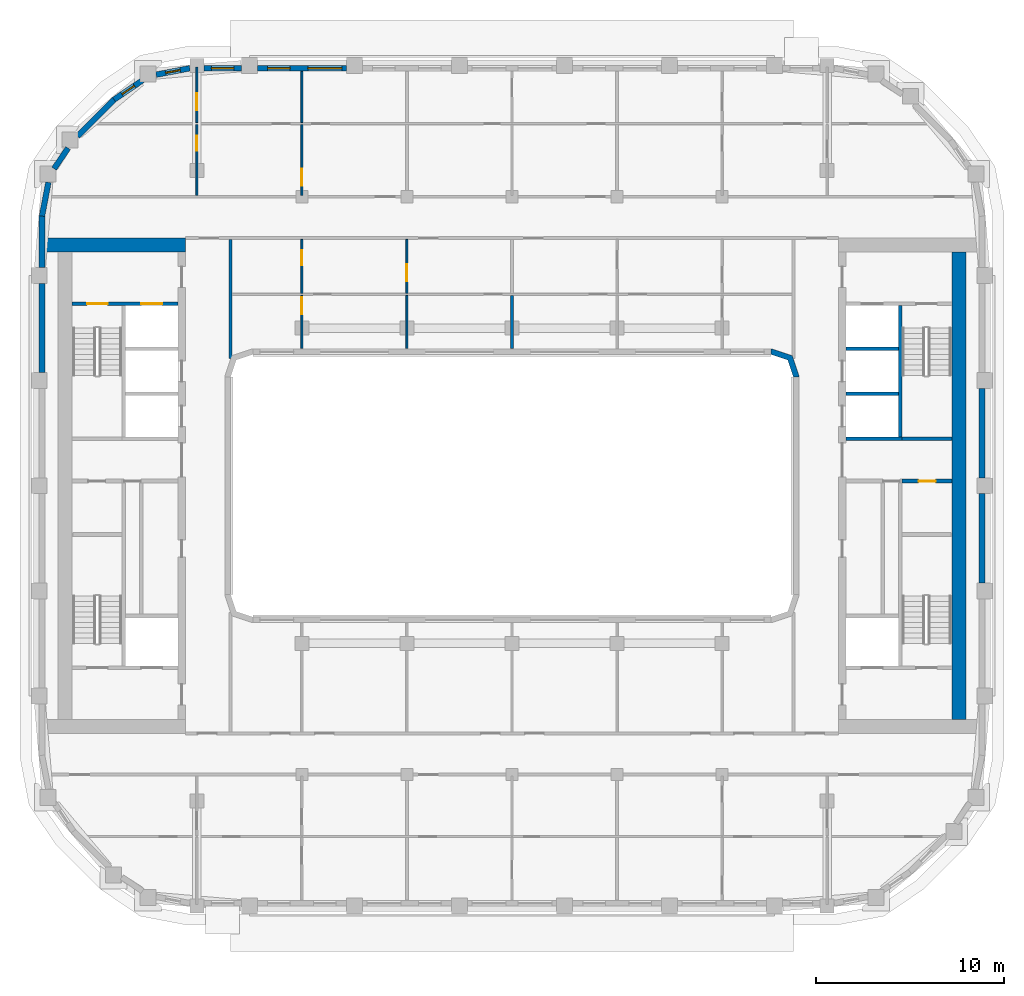
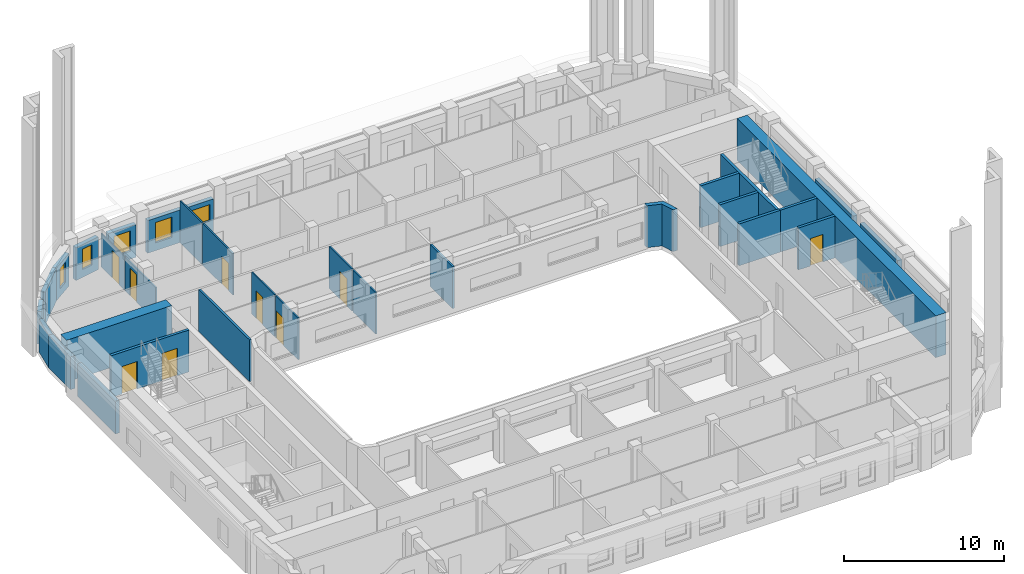
# One storey, part 6 of 21: 31 walls, 9 doors, 5 windows, 14 openings.
"""IFC4 building model written with IfcOpenShell, lengths in metres."""

from ifc_helpers import new_model, si_unit, direction, frame, frame_2d, origin, place, context, subcontext, project, spatial, polyline, rectangle, outline, extrude, material, layer, layer_set, type_object, element, fill, save


model = new_model("IFC4")

# Units and contexts
model_context = context("Model", 3, precision=1e-05, world=origin(), true_north=direction((0.0, 1.0)))
body_context = subcontext(model_context, "Body", "Model", "MODEL_VIEW")
ifc_project = project(units=[si_unit("LENGTHUNIT", "METRE"), si_unit("AREAUNIT", "SQUARE_METRE"), si_unit("VOLUMEUNIT", "CUBIC_METRE"), si_unit("PLANEANGLEUNIT", "RADIAN"), si_unit("MASSUNIT", "GRAM", prefix="KILO")], contexts=[model_context])

# Site, building, storey
site_placement = place(None, origin())
site = spatial("IfcSite", under=ifc_project, at=site_placement, CompositionType="ELEMENT")
building_placement = place(site_placement, origin())
building = spatial("IfcBuilding", under=site, at=building_placement, Name="Kiln Ring Residences", CompositionType="ELEMENT")
storey_placement = place(building_placement, frame((0.0, 0.0, 213.39990234375)))
storey = spatial("IfcBuildingStorey", under=building, at=storey_placement, Name="L55", CompositionType="ELEMENT", Elevation=213.39990234375)

# Wall, opening, door
ifc_material_1 = material(Name="Gypsum board on steel studs", Category="steel")
ifc_layer_1 = layer(ifc_material_1, 0.199951171875)
ifc_layer_set_1 = layer_set([ifc_layer_1], Name="CORE-PARTITION-200")
wall_type_1 = type_object("IfcWallType", Name="CORE-PARTITION-200", PredefinedType="PARTITIONING", material=ifc_layer_set_1)
wall_1_placement = place(storey_placement, frame((20.800048828125, 0.25, 0.0), z_axis=(0.0, 0.0, 1.0), x_axis=(1.0, 0.0, 0.0)))
wall_1 = element("IfcWall", 1, at=wall_1_placement, inside=storey, type_object=wall_type_1, Name="Core partition east L55 1", PredefinedType="PARTITIONING", context=body_context, shape_type="SweptSolid", body=[
    extrude(rectangle(XDim=2.64990234375, YDim=0.199951171875, at=frame_2d((1.324951171875, 0.0))), origin(), (0.0, 0.0, 1.0), 3.2001953125),
])
opening_1_placement = place(wall_1_placement, frame((0.875, 0.0, 0.0)))
opening_1 = element("IfcOpeningElement", 2, at=opening_1_placement, cuts=wall_1, Name="Opening L55-CE12", PredefinedType="OPENING", context=body_context, shape_type="SweptSolid", body=[
    extrude(rectangle(XDim=0.89990234375, YDim=2.10009765625, at=frame_2d((0.449951171875, 1.050048828125))), frame((0.0, 0.10986328125, 0.0), z_axis=(0.0, -1.0, 0.0), x_axis=(1.0, 0.0, 0.0)), (0.0, 0.0, 1.0), 0.219970703125),
])
ifc_material_2 = material(Name="Steel door leaf", Category="steel")
door_type_1 = type_object("IfcDoorType", Name="CORE-DOOR-ROOM", OperationType="SINGLE_SWING_LEFT", PredefinedType="DOOR", material=ifc_material_2)
door_1_placement = place(opening_1_placement, origin())
door_1 = element("IfcDoor", 3, at=door_1_placement, inside=storey, type_object=door_type_1, Name="Linen store L55-CE12", OperationType="SINGLE_SWING_LEFT", OverallHeight=2.10009765625, OverallWidth=0.89990234375, PredefinedType="DOOR", context=body_context, shape_type="SweptSolid", body=[
    extrude(rectangle(XDim=0.89990234375, YDim=2.10009765625, at=frame_2d((0.449951171875, 1.050048828125))), frame((0.0, 0.02490234375, 0.0), z_axis=(0.0, -1.0, 0.0), x_axis=(1.0, 0.0, 0.0)), (0.0, 0.0, 1.0), 0.050048828125),
])
fill(opening_1, door_1)

# Walls
ifc_material_3 = material(Name="Gypsum shaft wall system")
ifc_layer_2 = layer(ifc_material_3, 0.199951171875)
ifc_layer_set_2 = layer_set([ifc_layer_2], Name="CORE-SHAFT-WALL-200")
wall_type_2 = type_object("IfcWallType", Name="CORE-SHAFT-WALL-200", PredefinedType="PARTITIONING", material=ifc_layer_set_2)
wall_2_placement = place(storey_placement, frame((17.800048828125, 2.5, 0.0), z_axis=(0.0, 0.0, 1.0), x_axis=(1.0, 0.0, 0.0)))
element("IfcWall", 4, at=wall_2_placement, inside=storey, type_object=wall_type_2, Name="Core partition east L55 5", PredefinedType="PARTITIONING", context=body_context, shape_type="SweptSolid", body=[
    extrude(rectangle(XDim=3.0, YDim=0.199951171875, at=frame_2d((1.5, 0.0))), origin(), (0.0, 0.0, 1.0), 3.2001953125),
])
for number, where, z_axis, x_axis, name in (
    (5, (17.800048828125, 4.89990234375, 0.0), (0.0, 0.0, 1.0), (1.0, 0.0, 0.0), "Core partition east L55 6"),
    (6, (17.800048828125, 7.300048828125, 0.0), (0.0, 0.0, 1.0), (1.0, 0.0, 0.0), "Core partition east L55 7"),
):
    element("IfcWall", number, at=place(storey_placement, frame(where, z_axis=z_axis, x_axis=x_axis)), inside=storey, type_object=wall_type_2, Name=name, PredefinedType="PARTITIONING", context=body_context, shape_type="SweptSolid", body=[
        extrude(rectangle(XDim=2.800048828125, YDim=0.199951171875, at=frame_2d((1.39990234375, 0.0))), origin(), (0.0, 0.0, 1.0), 3.2001953125),
    ])

# Wall, openings, doors
ifc_material_4 = material(Name="Concrete C40/50", Category="concrete")
ifc_layer_3 = layer(ifc_material_4, 0.199951171875)
ifc_layer_set_3 = layer_set([ifc_layer_3], Name="CORE-WALL-RC200")
wall_type_3 = type_object("IfcWallType", Name="CORE-WALL-RC200", PredefinedType="SHEAR", material=ifc_layer_set_3)
wall_3_placement = place(storey_placement, frame((-17.800048828125, 9.699951171875, 0.0), z_axis=(0.0, 0.0, 1.0), x_axis=(-1.0, 0.0, 0.0)))
wall_3 = element("IfcWall", 7, at=wall_3_placement, inside=storey, type_object=wall_type_3, Name="Core wall west L55 9", PredefinedType="SHEAR", context=body_context, shape_type="SweptSolid", body=[
    extrude(rectangle(XDim=5.64990234375, YDim=0.199951171875, at=frame_2d((2.824951171875, 0.0))), origin(), (0.0, 0.0, 1.0), 3.2001953125),
])
opening_2_placement = place(wall_3_placement, frame((0.85009765625, 0.0, 0.0)))
opening_2 = element("IfcOpeningElement", 8, at=opening_2_placement, cuts=wall_3, Name="Opening L55-CW06", PredefinedType="OPENING", context=body_context, shape_type="SweptSolid", body=[
    extrude(rectangle(XDim=1.10009765625, YDim=2.10009765625, at=frame_2d((0.550048828125, 1.050048828125))), frame((0.0, 0.10986328125, 0.0), z_axis=(0.0, -1.0, 0.0), x_axis=(1.0, 0.0, 0.0)), (0.0, 0.0, 1.0), 0.219970703125),
])
opening_3_placement = place(wall_3_placement, frame((3.75, 0.0, 0.0)))
opening_3 = element("IfcOpeningElement", 9, at=opening_3_placement, cuts=wall_3, Name="Opening L55-CW09", PredefinedType="OPENING", context=body_context, shape_type="SweptSolid", body=[
    extrude(rectangle(XDim=1.10009765625, YDim=2.10009765625, at=frame_2d((0.550048828125, 1.050048828125))), frame((0.0, 0.10986328125, 0.0), z_axis=(0.0, -1.0, 0.0), x_axis=(1.0, 0.0, 0.0)), (0.0, 0.0, 1.0), 0.219970703125),
])
ifc_material_5 = material(Name="Steel door leaf", Category="steel")
door_type_2 = type_object("IfcDoorType", Name="CORE-DOOR-LD", OperationType="DOUBLE_DOOR_SLIDING", PredefinedType="DOOR", material=ifc_material_5)
door_2_placement = place(opening_2_placement, origin())
door_2 = element("IfcDoor", 10, at=door_2_placement, inside=storey, type_object=door_type_2, Name="LD W-FF L55-CW06", OperationType="DOUBLE_DOOR_SLIDING", OverallHeight=2.10009765625, OverallWidth=1.10009765625, PredefinedType="DOOR", context=body_context, shape_type="SweptSolid", body=[
    extrude(rectangle(XDim=1.10009765625, YDim=2.10009765625, at=frame_2d((0.550048828125, 1.050048828125))), frame((0.0, 0.02490234375, 0.0), z_axis=(0.0, -1.0, 0.0), x_axis=(1.0, 0.0, 0.0)), (0.0, 0.0, 1.0), 0.050048828125),
])
fill(opening_2, door_2)
ifc_material_6 = material(Name="Steel door leaf", Category="steel")
door_type_3 = type_object("IfcDoorType", Name="CORE-DOOR-STAIR", OperationType="SINGLE_SWING_LEFT", PredefinedType="DOOR", material=ifc_material_6)
door_3_placement = place(opening_3_placement, origin())
door_3 = element("IfcDoor", 11, at=door_3_placement, inside=storey, type_object=door_type_3, Name="Stair W-STN L55-CW09", OperationType="SINGLE_SWING_LEFT", OverallHeight=2.10009765625, OverallWidth=1.10009765625, PredefinedType="DOOR", context=body_context, shape_type="SweptSolid", body=[
    extrude(rectangle(XDim=1.10009765625, YDim=2.10009765625, at=frame_2d((0.550048828125, 1.050048828125))), frame((0.0, 0.02490234375, 0.0), z_axis=(0.0, -1.0, 0.0), x_axis=(1.0, 0.0, 0.0)), (0.0, 0.0, 1.0), 0.050048828125),
])
fill(opening_3, door_3)

# Walls
wall_4_placement = place(storey_placement, frame((20.699951171875, 2.60009765625, 0.0), z_axis=(0.0, 0.0, 1.0), x_axis=(0.0, 1.0, 0.0)))
element("IfcWall", 12, at=wall_4_placement, inside=storey, type_object=wall_type_3, Name="Core wall east L55 1", PredefinedType="SHEAR", context=body_context, shape_type="SweptSolid", body=[
    extrude(rectangle(XDim=7.0, YDim=0.199951171875, at=frame_2d((3.5, 0.0))), origin(), (0.0, 0.0, 1.0), 3.2001953125),
])
wall_5_placement = place(storey_placement, frame((20.800048828125, 2.5, 0.0), z_axis=(0.0, 0.0, 1.0), x_axis=(1.0, 0.0, 0.0)))
element("IfcWall", 13, at=wall_5_placement, inside=storey, type_object=wall_type_3, Name="Core wall east L55 3", PredefinedType="SHEAR", context=body_context, shape_type="SweptSolid", body=[
    extrude(rectangle(XDim=2.64990234375, YDim=0.199951171875, at=frame_2d((1.324951171875, 0.0))), origin(), (0.0, 0.0, 1.0), 3.2001953125),
])
ifc_material_7 = material(Name="Concrete C60/75", Category="concrete")
ifc_layer_4 = layer(ifc_material_7, 0.75)
ifc_layer_set_4 = layer_set([ifc_layer_4], Name="CORE-WALL-RC750")
wall_type_4 = type_object("IfcWallType", Name="CORE-WALL-RC750", PredefinedType="SHEAR", material=ifc_layer_set_4)
wall_6_placement = place(storey_placement, frame((-17.39990234375, 12.824951171875, 0.0), z_axis=(0.0, 0.0, 1.0), x_axis=(-1.0, 0.0, 0.0)))
element("IfcWall", 14, at=wall_6_placement, inside=storey, type_object=wall_type_4, Name="Core wall west L55 4", PredefinedType="SHEAR", context=body_context, shape_type="SweptSolid", body=[
    extrude(rectangle(XDim=7.60009765625, YDim=0.75, at=frame_2d((3.800048828125, 0.0))), origin(), (0.0, 0.0, 1.0), 3.2001953125),
])
wall_7_placement = place(storey_placement, frame((23.824951171875, -12.449951171875, 0.0), z_axis=(0.0, 0.0, 1.0), x_axis=(0.0, 1.0, 0.0)))
element("IfcWall", 15, at=wall_7_placement, inside=storey, type_object=wall_type_4, Name="Core wall east L55 7", PredefinedType="SHEAR", context=body_context, shape_type="SweptSolid", body=[
    extrude(rectangle(XDim=24.89990234375, YDim=0.75, at=frame_2d((12.449951171875, 0.0))), origin(), (0.0, 0.0, 1.0), 3.2001953125),
])
ifc_material_8 = material(Name="Brick masonry, dark clay brick", Category="masonry")
ifc_layer_5 = layer(ifc_material_8, 0.300048828125)
ifc_layer_set_5 = layer_set([ifc_layer_5], Name="EW-300 BRICK WALL")
wall_type_5 = type_object("IfcWallType", Name="EW-300 BRICK WALL", PredefinedType="SOLIDWALL", material=ifc_layer_set_5)
for number, where, z_axis, x_axis, name in (
    (16, (25.050048828125, -5.175048828125, 0.0), (0.0, 0.0, 1.0), (0.0, 1.0, 0.0), "Facade wall L55 18"),
    (17, (25.050048828125, 0.425048828125, 0.0), (0.0, 0.0, 1.0), (0.0, 1.0, 0.0), "Facade wall L55 19"),
):
    element("IfcWall", number, at=place(storey_placement, frame(where, z_axis=z_axis, x_axis=x_axis)), inside=storey, type_object=wall_type_5, Name=name, PredefinedType="SOLIDWALL", context=body_context, shape_type="SweptSolid", body=[
        extrude(rectangle(XDim=4.75, YDim=0.300048828125, at=frame_2d((2.375, 0.0))), origin(), (0.0, 0.0, 1.0), 2.5),
    ])

# Wall, openings, windows
wall_8_placement = place(storey_placement, frame((-8.824951171875, 22.25, 0.0), z_axis=(0.0, 0.0, 1.0), x_axis=(-1.0, 0.0, 0.0)))
wall_8 = element("IfcWall", 18, at=wall_8_placement, inside=storey, type_object=wall_type_5, Name="Facade wall L55 32", PredefinedType="SOLIDWALL", context=body_context, shape_type="SweptSolid", body=[
    extrude(rectangle(XDim=4.75, YDim=0.300048828125, at=frame_2d((2.375, 0.0))), origin(), (0.0, 0.0, 1.0), 2.5),
])
opening_4_placement = place(wall_8_placement, frame((0.25, 0.0, 0.89990234375)))
opening_4 = element("IfcOpeningElement", 19, at=opening_4_placement, cuts=wall_8, Name="Opening W2", PredefinedType="OPENING", context=body_context, shape_type="SweptSolid", body=[
    extrude(rectangle(XDim=1.800048828125, YDim=1.25, at=frame_2d((0.89990234375, 0.625))), frame((0.0, 0.159912109375, 0.0), z_axis=(0.0, -1.0, 0.0), x_axis=(1.0, 0.0, 0.0)), (0.0, 0.0, 1.0), 0.320068359375),
])
opening_5_placement = place(wall_8_placement, frame((3.0, 0.0, 0.60009765625)))
opening_5 = element("IfcOpeningElement", 20, at=opening_5_placement, cuts=wall_8, Name="Opening W1", PredefinedType="OPENING", context=body_context, shape_type="SweptSolid", body=[
    extrude(rectangle(XDim=1.199951171875, YDim=1.550048828125, at=frame_2d((0.60009765625, 0.77490234375))), frame((0.0, 0.159912109375, 0.0), z_axis=(0.0, -1.0, 0.0), x_axis=(1.0, 0.0, 0.0)), (0.0, 0.0, 1.0), 0.320068359375),
])
ifc_material_9 = material(Name="Aluminium frame with double glazing", Category="aluminium")
window_type_1 = type_object("IfcWindowType", Name="WINDOW 1200 x 1550", PartitioningType="SINGLE_PANEL", PredefinedType="WINDOW", material=ifc_material_9)
window_1_placement = place(opening_5_placement, origin())
window_1 = element("IfcWindow", 21, at=window_1_placement, inside=storey, type_object=window_type_1, Name="Window L55 29", OverallHeight=1.550048828125, OverallWidth=1.199951171875, PartitioningType="SINGLE_PANEL", PredefinedType="WINDOW", context=body_context, shape_type="SweptSolid", body=[
    extrude(rectangle(XDim=1.199951171875, YDim=1.550048828125, at=frame_2d((0.60009765625, 0.77490234375))), frame((0.0, 0.030029296875, 0.0), z_axis=(0.0, -1.0, 0.0), x_axis=(1.0, 0.0, 0.0)), (0.0, 0.0, 1.0), 0.06005859375),
])
fill(opening_5, window_1)
ifc_material_10 = material(Name="Aluminium frame with double glazing", Category="aluminium")
window_type_2 = type_object("IfcWindowType", Name="WINDOW 1800 x 1250", PartitioningType="SINGLE_PANEL", PredefinedType="WINDOW", material=ifc_material_10)
window_2_placement = place(opening_4_placement, origin())
window_2 = element("IfcWindow", 22, at=window_2_placement, inside=storey, type_object=window_type_2, Name="Window L55 28", OverallHeight=1.25, OverallWidth=1.800048828125, PartitioningType="SINGLE_PANEL", PredefinedType="WINDOW", context=body_context, shape_type="SweptSolid", body=[
    extrude(rectangle(XDim=1.800048828125, YDim=1.25, at=frame_2d((0.89990234375, 0.625))), frame((0.0, 0.030029296875, 0.0), z_axis=(0.0, -1.0, 0.0), x_axis=(1.0, 0.0, 0.0)), (0.0, 0.0, 1.0), 0.06005859375),
])
fill(opening_4, window_2)

# Wall, opening, window
wall_9_placement = place(storey_placement, frame((-14.425048828125, 22.25, 0.0), z_axis=(0.0, 0.0, 1.0), x_axis=(-1.0, 0.0, 0.0)))
wall_9 = element("IfcWall", 23, at=wall_9_placement, inside=storey, type_object=wall_type_5, Name="Facade wall L55 33", PredefinedType="SOLIDWALL", context=body_context, shape_type="SweptSolid", body=[
    extrude(rectangle(XDim=2.0, YDim=0.300048828125, at=frame_2d((1.0, 0.0))), origin(), (0.0, 0.0, 1.0), 2.5),
])
opening_6_placement = place(wall_9_placement, frame((0.39990234375, 0.0, 0.60009765625)))
opening_6 = element("IfcOpeningElement", 24, at=opening_6_placement, cuts=wall_9, Name="Opening W1", PredefinedType="OPENING", context=body_context, shape_type="SweptSolid", body=[
    extrude(rectangle(XDim=1.199951171875, YDim=1.550048828125, at=frame_2d((0.60009765625, 0.77490234375))), frame((0.0, 0.159912109375, 0.0), z_axis=(0.0, -1.0, 0.0), x_axis=(1.0, 0.0, 0.0)), (0.0, 0.0, 1.0), 0.320068359375),
])
window_3_placement = place(opening_6_placement, origin())
window_3 = element("IfcWindow", 25, at=window_3_placement, inside=storey, type_object=window_type_1, Name="Window L55 30", OverallHeight=1.550048828125, OverallWidth=1.199951171875, PartitioningType="SINGLE_PANEL", PredefinedType="WINDOW", context=body_context, shape_type="SweptSolid", body=[
    extrude(rectangle(XDim=1.199951171875, YDim=1.550048828125, at=frame_2d((0.60009765625, 0.77490234375))), frame((0.0, 0.030029296875, 0.0), z_axis=(0.0, -1.0, 0.0), x_axis=(1.0, 0.0, 0.0)), (0.0, 0.0, 1.0), 0.06005859375),
])
fill(opening_6, window_3)

wall_10_placement = place(storey_placement, frame((-17.171875, 22.252685546875, 0.0), z_axis=(0.0, 0.0, 1.0), x_axis=(-0.982300037503, -0.187314271538, 0.0)))
wall_10 = element("IfcWall", 26, at=wall_10_placement, inside=storey, type_object=wall_type_5, Name="Facade wall L55 34", PredefinedType="SOLIDWALL", context=body_context, shape_type="SweptSolid", body=[
    extrude(rectangle(XDim=1.831298828125, YDim=0.300048828125, at=frame_2d((0.91552734375, 0.0))), origin(), (0.0, 0.0, 1.0), 2.5),
])
opening_7_placement = place(wall_10_placement, frame((0.515625, 0.0, 0.60009765625)))
opening_7 = element("IfcOpeningElement", 27, at=opening_7_placement, cuts=wall_10, Name="Opening W5", PredefinedType="OPENING", context=body_context, shape_type="SweptSolid", body=[
    extrude(rectangle(XDim=0.800048828125, YDim=1.550048828125, at=frame_2d((0.39990234375, 0.77490234375))), frame((0.0, 0.159912109375, 0.0), z_axis=(0.0, -1.0, 0.0), x_axis=(1.0, 0.0, 0.0)), (0.0, 0.0, 1.0), 0.320068359375),
])
ifc_material_11 = material(Name="Aluminium frame with double glazing", Category="aluminium")
window_type_3 = type_object("IfcWindowType", Name="WINDOW 800 x 1550", PartitioningType="SINGLE_PANEL", PredefinedType="WINDOW", material=ifc_material_11)
window_4_placement = place(opening_7_placement, origin())
window_4 = element("IfcWindow", 28, at=window_4_placement, inside=storey, type_object=window_type_3, Name="Window L55 31", OverallHeight=1.550048828125, OverallWidth=0.800048828125, PartitioningType="SINGLE_PANEL", PredefinedType="WINDOW", context=body_context, shape_type="SweptSolid", body=[
    extrude(rectangle(XDim=0.800048828125, YDim=1.550048828125, at=frame_2d((0.39990234375, 0.77490234375))), frame((0.0, 0.030029296875, 0.0), z_axis=(0.0, -1.0, 0.0), x_axis=(1.0, 0.0, 0.0)), (0.0, 0.0, 1.0), 0.06005859375),
])
fill(opening_7, window_4)

wall_11_placement = place(storey_placement, frame((-19.6982421875, 21.608154296875, 0.0), z_axis=(0.0, 0.0, 1.0), x_axis=(-0.82705295608, -0.562124014644, 0.0)))
wall_11 = element("IfcWall", 29, at=wall_11_placement, inside=storey, type_object=wall_type_5, Name="Facade wall L55 35", PredefinedType="SOLIDWALL", context=body_context, shape_type="SweptSolid", body=[
    extrude(rectangle(XDim=1.8310546875, YDim=0.300048828125, at=frame_2d((0.91552734375, 0.0))), origin(), (0.0, 0.0, 1.0), 2.5),
])
opening_8_placement = place(wall_11_placement, frame((0.515625, 0.0, 0.60009765625)))
opening_8 = element("IfcOpeningElement", 30, at=opening_8_placement, cuts=wall_11, Name="Opening W5", PredefinedType="OPENING", context=body_context, shape_type="SweptSolid", body=[
    extrude(rectangle(XDim=0.800048828125, YDim=1.550048828125, at=frame_2d((0.39990234375, 0.77490234375))), frame((0.0, 0.159912109375, 0.0), z_axis=(0.0, -1.0, 0.0), x_axis=(1.0, 0.0, 0.0)), (0.0, 0.0, 1.0), 0.320068359375),
])
window_5_placement = place(opening_8_placement, origin())
window_5 = element("IfcWindow", 31, at=window_5_placement, inside=storey, type_object=window_type_3, Name="Window L55 32", OverallHeight=1.550048828125, OverallWidth=0.800048828125, PartitioningType="SINGLE_PANEL", PredefinedType="WINDOW", context=body_context, shape_type="SweptSolid", body=[
    extrude(rectangle(XDim=0.800048828125, YDim=1.550048828125, at=frame_2d((0.39990234375, 0.77490234375))), frame((0.0, 0.030029296875, 0.0), z_axis=(0.0, -1.0, 0.0), x_axis=(1.0, 0.0, 0.0)), (0.0, 0.0, 1.0), 0.06005859375),
])
fill(opening_8, window_5)

# Walls
wall_12_placement = place(storey_placement, frame((-21.19091796875, 20.596923828125, 0.0), z_axis=(0.0, 0.0, 1.0), x_axis=(-0.707150767798, -0.707062791838, 0.0)))
element("IfcWall", 32, at=wall_12_placement, inside=storey, type_object=wall_type_5, Name="Facade wall L55 36", PredefinedType="SOLIDWALL", context=body_context, shape_type="SweptSolid", body=[
    extrude(rectangle(XDim=2.775146484375, YDim=0.300048828125, at=frame_2d((1.3876953125, 0.0))), origin(), (0.0, 0.0, 1.0), 2.5),
])
wall_13_placement = place(storey_placement, frame((-23.662109375, 17.995849609375, 0.0), z_axis=(0.0, 0.0, 1.0), x_axis=(-0.562149004813, -0.827035970432, 0.0)))
element("IfcWall", 33, at=wall_13_placement, inside=storey, type_object=wall_type_5, Name="Facade wall L55 37", PredefinedType="SOLIDWALL", context=body_context, shape_type="SweptSolid", body=[
    extrude(rectangle(XDim=1.3271484375, YDim=0.300048828125, at=frame_2d((0.66357421875, 0.0))), origin(), (0.0, 0.0, 1.0), 2.5),
])
wall_14_placement = place(storey_placement, frame((-24.70947265625, 16.170654296875, 0.0), z_axis=(0.0, 0.0, 1.0), x_axis=(-0.187442908742, -0.982275499014, 0.0)))
element("IfcWall", 34, at=wall_14_placement, inside=storey, type_object=wall_type_5, Name="Facade wall L55 38", PredefinedType="SOLIDWALL", context=body_context, shape_type="SweptSolid", body=[
    extrude(rectangle(XDim=1.831298828125, YDim=0.300048828125, at=frame_2d((0.91552734375, 0.0))), origin(), (0.0, 0.0, 1.0), 2.5),
])
wall_15_placement = place(storey_placement, frame((-25.050048828125, 14.39990234375, 0.0), z_axis=(0.0, 0.0, 1.0), x_axis=(0.0, -1.0, 0.0)))
element("IfcWall", 35, at=wall_15_placement, inside=storey, type_object=wall_type_5, Name="Facade wall L55 39", PredefinedType="SOLIDWALL", context=body_context, shape_type="SweptSolid", body=[
    extrude(rectangle(XDim=2.77490234375, YDim=0.300048828125, at=frame_2d((1.387451171875, 0.0))), origin(), (0.0, 0.0, 1.0), 2.5),
])
wall_16_placement = place(storey_placement, frame((-25.050048828125, 10.77490234375, 0.0), z_axis=(0.0, 0.0, 1.0), x_axis=(0.0, -1.0, 0.0)))
element("IfcWall", 36, at=wall_16_placement, inside=storey, type_object=wall_type_5, Name="Facade wall L55 40", PredefinedType="SOLIDWALL", context=body_context, shape_type="SweptSolid", body=[
    extrude(rectangle(XDim=4.75, YDim=0.300048828125, at=frame_2d((2.375, 0.0))), origin(), (0.0, 0.0, 1.0), 2.5),
])
wall_17_placement = place(storey_placement, origin())
element("IfcWall", 37, at=wall_17_placement, inside=storey, type_object=wall_type_5, Name="Corner wall L55 2", PredefinedType="SOLIDWALL", context=body_context, shape_type="SweptSolid", body=[
    extrude(outline(polyline([(14.937255859375, 6.937255859375), (13.8486328125, 7.300048828125), (13.800048828125, 7.300048828125), (13.800048828125, 7.0), (14.699951171875, 6.699951171875), (15.0, 5.800048828125), (15.300048828125, 5.800048828125), (15.300048828125, 5.8486328125), (14.937255859375, 6.937255859375)])), origin(), (0.0, 0.0, 1.0), 3.2001953125),
])

# Wall, opening, door
ifc_material_12 = material(Name="Gypsum board on steel studs", Category="steel")
ifc_layer_6 = layer(ifc_material_12, 0.10009765625)
ifc_layer_set_6 = layer_set([ifc_layer_6], Name="PARTITION-100")
wall_type_6 = type_object("IfcWallType", Name="PARTITION-100", PredefinedType="PARTITIONING", material=ifc_layer_set_6)
wall_18_placement = place(storey_placement, frame((-16.800048828125, 15.47509765625, 0.0), z_axis=(0.0, 0.0, 1.0), x_axis=(0.0, 1.0, 0.0)))
wall_18 = element("IfcWall", 38, at=wall_18_placement, inside=storey, type_object=wall_type_6, Name="Partition 009", PredefinedType="PARTITIONING", context=body_context, shape_type="SweptSolid", body=[
    extrude(rectangle(XDim=3.77490234375, YDim=0.10009765625, at=frame_2d((1.887451171875, 0.0))), origin(), (0.0, 0.0, 1.0), 2.550048828125),
])
opening_9_placement = place(wall_18_placement, frame((2.375, 0.0, 0.0)))
opening_9 = element("IfcOpeningElement", 39, at=opening_9_placement, cuts=wall_18, Name="Opening L55-D019", PredefinedType="OPENING", context=body_context, shape_type="SweptSolid", body=[
    extrude(rectangle(XDim=0.800048828125, YDim=2.10009765625, at=frame_2d((0.39990234375, 1.050048828125))), frame((0.0, 0.06005859375, 0.0), z_axis=(0.0, -1.0, 0.0), x_axis=(1.0, 0.0, 0.0)), (0.0, 0.0, 1.0), 0.1201171875),
])
ifc_material_13 = material(Name="Timber door leaf", Category="wood")
door_type_4 = type_object("IfcDoorType", Name="FLAT-DOOR-800-PL", OperationType="SINGLE_SWING_LEFT", PredefinedType="DOOR", material=ifc_material_13)
door_4_placement = place(opening_9_placement, origin())
door_4 = element("IfcDoor", 40, at=door_4_placement, inside=storey, type_object=door_type_4, Name="Door L55-D019", OperationType="SINGLE_SWING_LEFT", OverallHeight=2.10009765625, OverallWidth=0.800048828125, PredefinedType="DOOR", context=body_context, shape_type="SweptSolid", body=[
    extrude(rectangle(XDim=0.800048828125, YDim=2.10009765625, at=frame_2d((0.39990234375, 1.050048828125))), frame((0.0, 0.02490234375, 0.0), z_axis=(0.0, -1.0, 0.0), x_axis=(1.0, 0.0, 0.0)), (0.0, 0.0, 1.0), 0.050048828125),
])
fill(opening_9, door_4)

wall_19_placement = place(storey_placement, frame((-16.800048828125, 19.35009765625, 0.0), z_axis=(0.0, 0.0, 1.0), x_axis=(0.0, 1.0, 0.0)))
wall_19 = element("IfcWall", 41, at=wall_19_placement, inside=storey, type_object=wall_type_6, Name="Partition 010", PredefinedType="PARTITIONING", context=body_context, shape_type="SweptSolid", body=[
    extrude(rectangle(XDim=2.9599609375, YDim=0.10009765625, at=frame_2d((1.47998046875, 0.0))), origin(), (0.0, 0.0, 1.0), 2.550048828125),
])
opening_10_placement = place(wall_19_placement, frame((0.659912109375, 0.0, 0.0)))
opening_10 = element("IfcOpeningElement", 42, at=opening_10_placement, cuts=wall_19, Name="Opening L55-D022", PredefinedType="OPENING", context=body_context, shape_type="SweptSolid", body=[
    extrude(rectangle(XDim=0.89990234375, YDim=2.10009765625, at=frame_2d((0.449951171875, 1.050048828125))), frame((0.0, 0.06005859375, 0.0), z_axis=(0.0, -1.0, 0.0), x_axis=(1.0, 0.0, 0.0)), (0.0, 0.0, 1.0), 0.1201171875),
])
ifc_material_14 = material(Name="Timber door leaf", Category="wood")
door_type_5 = type_object("IfcDoorType", Name="FLAT-DOOR-900-PL", OperationType="SINGLE_SWING_LEFT", PredefinedType="DOOR", material=ifc_material_14)
door_5_placement = place(opening_10_placement, origin())
door_5 = element("IfcDoor", 43, at=door_5_placement, inside=storey, type_object=door_type_5, Name="Door L55-D022", OperationType="SINGLE_SWING_RIGHT", OverallHeight=2.10009765625, OverallWidth=0.89990234375, PredefinedType="DOOR", context=body_context, shape_type="SweptSolid", body=[
    extrude(rectangle(XDim=0.89990234375, YDim=2.10009765625, at=frame_2d((0.449951171875, 1.050048828125))), frame((0.0, 0.02490234375, 0.0), z_axis=(0.0, -1.0, 0.0), x_axis=(1.0, 0.0, 0.0)), (0.0, 0.0, 1.0), 0.050048828125),
])
fill(opening_10, door_5)

wall_20_placement = place(storey_placement, frame((-11.199951171875, 7.320068359375, 0.0), z_axis=(0.0, 0.0, 1.0), x_axis=(0.0, 1.0, 0.0)))
wall_20 = element("IfcWall", 44, at=wall_20_placement, inside=storey, type_object=wall_type_6, Name="Partition 016", PredefinedType="PARTITIONING", context=body_context, shape_type="SweptSolid", body=[
    extrude(rectangle(XDim=2.829833984375, YDim=0.10009765625, at=frame_2d((1.4150390625, 0.0))), origin(), (0.0, 0.0, 1.0), 3.2001953125),
])
opening_11_placement = place(wall_20_placement, frame((1.830078125, 0.0, 0.0)))
opening_11 = element("IfcOpeningElement", 45, at=opening_11_placement, cuts=wall_20, Name="Opening L55-D010", PredefinedType="OPENING", context=body_context, shape_type="SweptSolid", body=[
    extrude(rectangle(XDim=0.89990234375, YDim=2.10009765625, at=frame_2d((0.449951171875, 1.050048828125))), frame((0.0, 0.06005859375, 0.0), z_axis=(0.0, -1.0, 0.0), x_axis=(1.0, 0.0, 0.0)), (0.0, 0.0, 1.0), 0.1201171875),
])
door_6_placement = place(opening_11_placement, origin())
door_6 = element("IfcDoor", 46, at=door_6_placement, inside=storey, type_object=door_type_5, Name="Door L55-D010", OperationType="SINGLE_SWING_LEFT", OverallHeight=2.10009765625, OverallWidth=0.89990234375, PredefinedType="DOOR", context=body_context, shape_type="SweptSolid", body=[
    extrude(rectangle(XDim=0.89990234375, YDim=2.10009765625, at=frame_2d((0.449951171875, 1.050048828125))), frame((0.0, 0.02490234375, 0.0), z_axis=(0.0, -1.0, 0.0), x_axis=(1.0, 0.0, 0.0)), (0.0, 0.0, 1.0), 0.050048828125),
])
fill(opening_11, door_6)

wall_21_placement = place(storey_placement, frame((-11.199951171875, 10.25, 0.0), z_axis=(0.0, 0.0, 1.0), x_axis=(0.0, 1.0, 0.0)))
wall_21 = element("IfcWall", 47, at=wall_21_placement, inside=storey, type_object=wall_type_6, Name="Partition 017", PredefinedType="PARTITIONING", context=body_context, shape_type="SweptSolid", body=[
    extrude(rectangle(XDim=2.875, YDim=0.10009765625, at=frame_2d((1.4375, 0.0))), origin(), (0.0, 0.0, 1.0), 3.2001953125),
])
opening_12_placement = place(wall_21_placement, frame((1.4990234375, 0.0, 0.0)))
opening_12 = element("IfcOpeningElement", 48, at=opening_12_placement, cuts=wall_21, Name="Opening L55-D007", PredefinedType="OPENING", context=body_context, shape_type="SweptSolid", body=[
    extrude(rectangle(XDim=0.800048828125, YDim=2.10009765625, at=frame_2d((0.39990234375, 1.050048828125))), frame((0.0, 0.06005859375, 0.0), z_axis=(0.0, -1.0, 0.0), x_axis=(1.0, 0.0, 0.0)), (0.0, 0.0, 1.0), 0.1201171875),
])
door_7_placement = place(opening_12_placement, origin())
door_7 = element("IfcDoor", 49, at=door_7_placement, inside=storey, type_object=door_type_4, Name="Door L55-D007", OperationType="SINGLE_SWING_LEFT", OverallHeight=2.10009765625, OverallWidth=0.800048828125, PredefinedType="DOOR", context=body_context, shape_type="SweptSolid", body=[
    extrude(rectangle(XDim=0.800048828125, YDim=2.10009765625, at=frame_2d((0.39990234375, 1.050048828125))), frame((0.0, 0.02490234375, 0.0), z_axis=(0.0, -1.0, 0.0), x_axis=(1.0, 0.0, 0.0)), (0.0, 0.0, 1.0), 0.050048828125),
])
fill(opening_12, door_7)

wall_22_placement = place(storey_placement, frame((-11.199951171875, 15.47509765625, 0.0), z_axis=(0.0, 0.0, 1.0), x_axis=(0.0, 1.0, 0.0)))
wall_22 = element("IfcWall", 50, at=wall_22_placement, inside=storey, type_object=wall_type_6, Name="Partition 018", PredefinedType="PARTITIONING", context=body_context, shape_type="SweptSolid", body=[
    extrude(rectangle(XDim=3.77490234375, YDim=0.10009765625, at=frame_2d((1.887451171875, 0.0))), origin(), (0.0, 0.0, 1.0), 3.2001953125),
])
opening_13_placement = place(wall_22_placement, frame((0.52490234375, 0.0, 0.0)))
opening_13 = element("IfcOpeningElement", 51, at=opening_13_placement, cuts=wall_22, Name="Opening L55-D018", PredefinedType="OPENING", context=body_context, shape_type="SweptSolid", body=[
    extrude(rectangle(XDim=0.89990234375, YDim=2.10009765625, at=frame_2d((0.449951171875, 1.050048828125))), frame((0.0, 0.06005859375, 0.0), z_axis=(0.0, -1.0, 0.0), x_axis=(1.0, 0.0, 0.0)), (0.0, 0.0, 1.0), 0.1201171875),
])
door_8_placement = place(opening_13_placement, origin())
door_8 = element("IfcDoor", 52, at=door_8_placement, inside=storey, type_object=door_type_5, Name="Door L55-D018", OperationType="SINGLE_SWING_RIGHT", OverallHeight=2.10009765625, OverallWidth=0.89990234375, PredefinedType="DOOR", context=body_context, shape_type="SweptSolid", body=[
    extrude(rectangle(XDim=0.89990234375, YDim=2.10009765625, at=frame_2d((0.449951171875, 1.050048828125))), frame((0.0, 0.02490234375, 0.0), z_axis=(0.0, -1.0, 0.0), x_axis=(1.0, 0.0, 0.0)), (0.0, 0.0, 1.0), 0.050048828125),
])
fill(opening_13, door_8)

# Walls
wall_23_placement = place(storey_placement, frame((-11.199951171875, 19.35009765625, 0.0), z_axis=(0.0, 0.0, 1.0), x_axis=(0.0, 1.0, 0.0)))
element("IfcWall", 53, at=wall_23_placement, inside=storey, type_object=wall_type_6, Name="Partition 019", PredefinedType="PARTITIONING", context=body_context, shape_type="SweptSolid", body=[
    extrude(rectangle(XDim=2.72998046875, YDim=0.10009765625, at=frame_2d((1.364990234375, 0.0))), origin(), (0.0, 0.0, 1.0), 3.2001953125),
])
wall_24_placement = place(storey_placement, frame((-5.60009765625, 7.320068359375, 0.0), z_axis=(0.0, 0.0, 1.0), x_axis=(0.0, 1.0, 0.0)))
element("IfcWall", 54, at=wall_24_placement, inside=storey, type_object=wall_type_6, Name="Partition 021", PredefinedType="PARTITIONING", context=body_context, shape_type="SweptSolid", body=[
    extrude(rectangle(XDim=2.829833984375, YDim=0.10009765625, at=frame_2d((1.4150390625, 0.0))), origin(), (0.0, 0.0, 1.0), 3.2001953125),
])

# Wall, opening, door
wall_25_placement = place(storey_placement, frame((-5.60009765625, 10.25, 0.0), z_axis=(0.0, 0.0, 1.0), x_axis=(0.0, 1.0, 0.0)))
wall_25 = element("IfcWall", 55, at=wall_25_placement, inside=storey, type_object=wall_type_6, Name="Partition 022", PredefinedType="PARTITIONING", context=body_context, shape_type="SweptSolid", body=[
    extrude(rectangle(XDim=2.875, YDim=0.10009765625, at=frame_2d((1.4375, 0.0))), origin(), (0.0, 0.0, 1.0), 3.2001953125),
])
opening_14_placement = place(wall_25_placement, frame((0.64892578125, 0.0, 0.0)))
opening_14 = element("IfcOpeningElement", 56, at=opening_14_placement, cuts=wall_25, Name="Opening L55-D006", PredefinedType="OPENING", context=body_context, shape_type="SweptSolid", body=[
    extrude(rectangle(XDim=0.89990234375, YDim=2.10009765625, at=frame_2d((0.449951171875, 1.050048828125))), frame((0.0, 0.06005859375, 0.0), z_axis=(0.0, -1.0, 0.0), x_axis=(1.0, 0.0, 0.0)), (0.0, 0.0, 1.0), 0.1201171875),
])
door_9_placement = place(opening_14_placement, origin())
door_9 = element("IfcDoor", 57, at=door_9_placement, inside=storey, type_object=door_type_5, Name="Door L55-D006", OperationType="SINGLE_SWING_RIGHT", OverallHeight=2.10009765625, OverallWidth=0.89990234375, PredefinedType="DOOR", context=body_context, shape_type="SweptSolid", body=[
    extrude(rectangle(XDim=0.89990234375, YDim=2.10009765625, at=frame_2d((0.449951171875, 1.050048828125))), frame((0.0, 0.02490234375, 0.0), z_axis=(0.0, -1.0, 0.0), x_axis=(1.0, 0.0, 0.0)), (0.0, 0.0, 1.0), 0.050048828125),
])
fill(opening_14, door_9)

# Walls
ifc_material_15 = material(Name="Brick masonry partition", Category="masonry")
ifc_layer_7 = layer(ifc_material_15, 0.14990234375)
ifc_layer_set_7 = layer_set([ifc_layer_7], Name="PARTITION-150-ei60")
wall_type_7 = type_object("IfcWallType", Name="PARTITION-150-ei60", PredefinedType="PARTITIONING", material=ifc_layer_set_7)
wall_26_placement = place(storey_placement, frame((-15.0, 6.768798828125, 0.0), z_axis=(0.0, 0.0, 1.0), x_axis=(0.0, 1.0, 0.0)))
element("IfcWall", 58, at=wall_26_placement, inside=storey, type_object=wall_type_7, Name="Partition 012", PredefinedType="PARTITIONING", context=body_context, shape_type="SweptSolid", body=[
    extrude(rectangle(XDim=6.356201171875, YDim=0.14990234375, at=frame_2d((3.17822265625, 0.0))), origin(), (0.0, 0.0, 1.0), 3.2001953125),
])
wall_27_placement = place(storey_placement, frame((0.0, 7.320068359375, 0.0), z_axis=(0.0, 0.0, 1.0), x_axis=(0.0, 1.0, 0.0)))
element("IfcWall", 59, at=wall_27_placement, inside=storey, type_object=wall_type_7, Name="Partition 032", PredefinedType="PARTITIONING", context=body_context, shape_type="SweptSolid", body=[
    extrude(rectangle(XDim=2.829833984375, YDim=0.14990234375, at=frame_2d((1.4150390625, 0.0))), origin(), (0.0, 0.0, 1.0), 3.2001953125),
])

save(model, "model.ifc")
